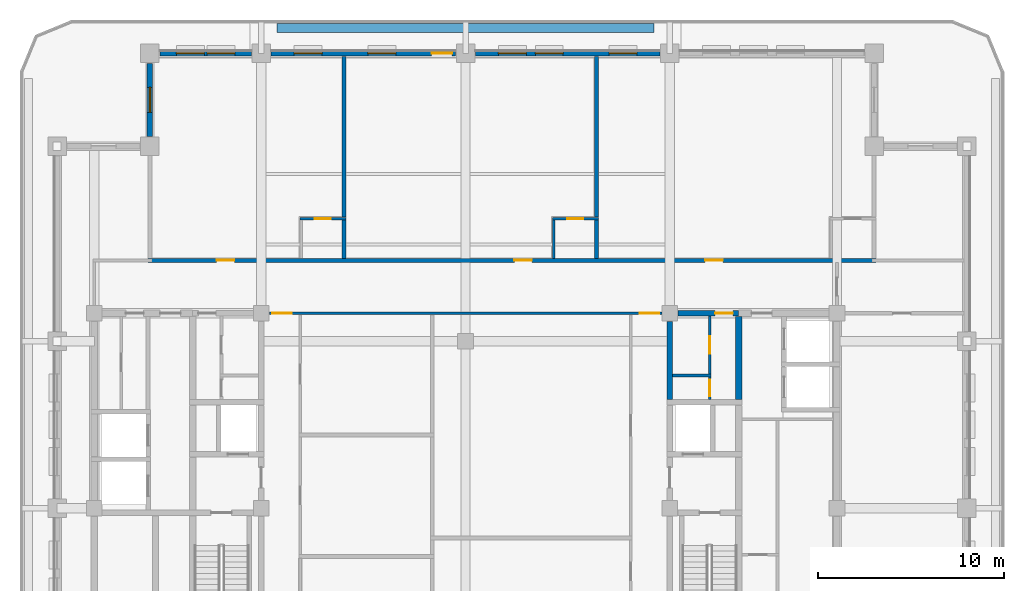
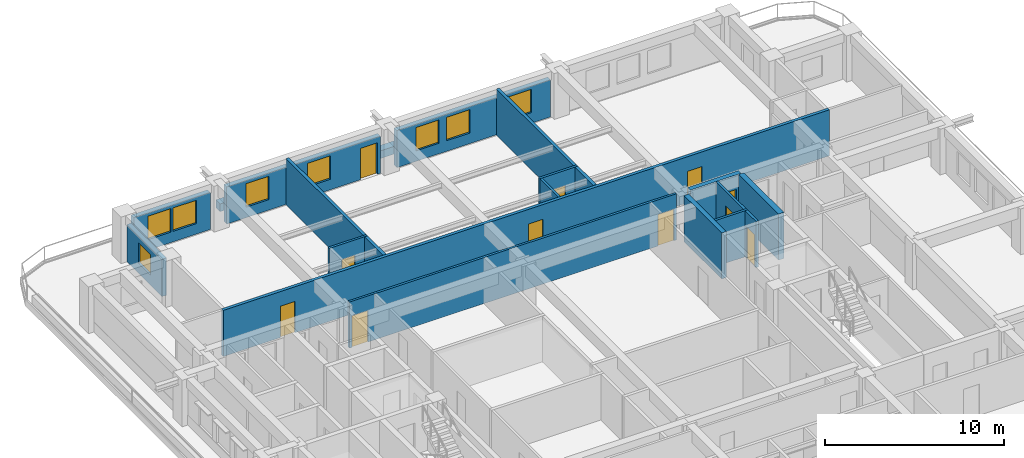
# One storey, part 6 of 13: 20 walls, 11 doors, 8 windows, 19 openings.
"""IFC4 building model written with IfcOpenShell, lengths in metres."""

from ifc_helpers import new_model, si_unit, direction, frame, frame_2d, origin, place, context, subcontext, project, spatial, rectangle, extrude, material, layer, layer_set, type_object, element, fill, save


model = new_model("IFC4")

# Units and contexts
model_context = context("Model", 3, precision=1e-05, world=origin(), true_north=direction((0.0, 1.0)))
body_context = subcontext(model_context, "Body", "Model", "MODEL_VIEW")
ifc_project = project(units=[si_unit("LENGTHUNIT", "METRE"), si_unit("AREAUNIT", "SQUARE_METRE"), si_unit("VOLUMEUNIT", "CUBIC_METRE"), si_unit("PLANEANGLEUNIT", "RADIAN"), si_unit("MASSUNIT", "GRAM", prefix="KILO")], contexts=[model_context])

# Site, building, storey
site_placement = place(None, origin())
site = spatial("IfcSite", under=ifc_project, at=site_placement, CompositionType="ELEMENT")
building_placement = place(site_placement, origin())
building = spatial("IfcBuilding", under=site, at=building_placement, Name="Zulmaris Gate Convention Tower", CompositionType="ELEMENT")
storey_placement = place(building_placement, frame((0.0, 0.0, 176.259765625)))
storey = spatial("IfcBuildingStorey", under=building, at=storey_placement, Name="L45", CompositionType="ELEMENT", Elevation=176.259765625)

# Wall, opening, door
ifc_material_1 = material(Name="Concrete C50/60", Category="concrete")
ifc_layer_1 = layer(ifc_material_1, 0.300048828125, Name="Concrete C50/60")
ifc_layer_set_1 = layer_set([ifc_layer_1], Name="Concrete C50/60")
wall_type_1 = type_object("IfcWallType", Name="CORE-300", PredefinedType="SHEAR", material=ifc_layer_set_1)
wall_1_placement = place(storey_placement, frame((11.428955078125, 10.5, 0.0), z_axis=(0.0, 0.0, 1.0), x_axis=(1.0, 0.0, 0.0)))
wall_1 = element("IfcWall", 1, at=wall_1_placement, inside=storey, type_object=wall_type_1, Name="WL-L45-017", PredefinedType="SHEAR", context=body_context, shape_type="SweptSolid", body=[
    extrude(rectangle(XDim=3.27099609375, YDim=0.300048828125, at=frame_2d((1.635498046875, 0.0))), origin(), (0.0, 0.0, 1.0), 3.150146484375),
])
opening_1_placement = place(wall_1_placement, frame((2.01611328125, 0.0, 0.0)))
opening_1 = element("IfcOpeningElement", 2, at=opening_1_placement, cuts=wall_1, Name="Opening D-11", PredefinedType="OPENING", context=body_context, shape_type="SweptSolid", body=[
    extrude(rectangle(XDim=0.949951171875, YDim=2.14990234375, at=frame_2d((0.47509765625, 1.074951171875))), frame((0.0, 0.16015625, 0.0), z_axis=(0.0, -1.0, 0.0), x_axis=(1.0, 0.0, 0.0)), (0.0, 0.0, 1.0), 0.320068359375),
])
ifc_material_2 = material(Name="Fire-Rated Timber", Category="wood")
door_type_1 = type_object("IfcDoorType", Name="DR-950-FD", OperationType="NOTDEFINED", PredefinedType="DOOR", material=ifc_material_2)
door_1_placement = place(opening_1_placement, origin())
door_1 = element("IfcDoor", 3, at=door_1_placement, inside=storey, type_object=door_type_1, Name="L45 Core East Passage Door 10", OperationType="SINGLE_SWING_LEFT", OverallHeight=2.14990234375, OverallWidth=0.949951171875, PredefinedType="DOOR", context=body_context, shape_type="SweptSolid", body=[
    extrude(rectangle(XDim=0.949951171875, YDim=2.14990234375, at=frame_2d((0.47509765625, 1.074951171875))), frame((0.0, 0.02490234375, 0.0), z_axis=(0.0, -1.0, 0.0), x_axis=(1.0, 0.0, 0.0)), (0.0, 0.0, 1.0), 0.050048828125),
])
fill(opening_1, door_1)

# Walls
wall_2_placement = place(storey_placement, frame((11.0, 5.85205078125, 0.0), z_axis=(0.0, 0.0, 1.0), x_axis=(0.0, 1.0, 0.0)))
element("IfcWall", 4, at=wall_2_placement, inside=storey, type_object=wall_type_1, Name="WL-L45-062", PredefinedType="SHEAR", context=body_context, shape_type="SweptSolid", body=[
    extrude(rectangle(XDim=4.218994140625, YDim=0.300048828125, at=frame_2d((2.109375, 0.0))), origin(), (0.0, 0.0, 1.0), 3.150146484375),
])
ifc_material_3 = material(Name="Concrete C55/67", Category="concrete")
ifc_layer_2 = layer(ifc_material_3, 0.35009765625, Name="Concrete C55/67")
ifc_layer_set_2 = layer_set([ifc_layer_2], Name="Concrete C55/67")
wall_type_2 = type_object("IfcWallType", Name="CORE-350", PredefinedType="SHEAR", material=ifc_layer_set_2)
wall_3_placement = place(storey_placement, frame((14.699951171875, 5.85205078125, 0.0), z_axis=(0.0, 0.0, 1.0), x_axis=(0.0, 1.0, 0.0)))
element("IfcWall", 5, at=wall_3_placement, inside=storey, type_object=wall_type_2, Name="WL-L45-068", PredefinedType="SHEAR", context=body_context, shape_type="SweptSolid", body=[
    extrude(rectangle(XDim=4.470947265625, YDim=0.35009765625, at=frame_2d((2.2353515625, 0.0))), origin(), (0.0, 0.0, 1.0), 3.150146484375),
])
ifc_material_4 = material(Name="Gypsum Metal Stud Partition")
ifc_layer_3 = layer(ifc_material_4, 0.14990234375, Name="Gypsum Metal Stud Partition")
ifc_layer_set_3 = layer_set([ifc_layer_3], Name="Gypsum Metal Stud Partition")
wall_type_3 = type_object("IfcWallType", Name="PART-150", PredefinedType="PARTITIONING", material=ifc_layer_set_3)
wall_4_placement = place(storey_placement, frame((11.153076171875, 7.14990234375, 0.0), z_axis=(0.0, 0.0, 1.0), x_axis=(1.0, 0.0, 0.0)))
element("IfcWall", 6, at=wall_4_placement, inside=storey, type_object=wall_type_3, Name="WL-L45-033", PredefinedType="PARTITIONING", context=body_context, shape_type="SweptSolid", body=[
    extrude(rectangle(XDim=2.072021484375, YDim=0.14990234375, at=frame_2d((1.0361328125, 0.0))), origin(), (0.0, 0.0, 1.0), 3.150146484375),
])

# Wall, openings, doors
wall_5_placement = place(storey_placement, frame((-10.569091796875, 10.5, 0.0), z_axis=(0.0, 0.0, 1.0), x_axis=(1.0, 0.0, 0.0)))
wall_5 = element("IfcWall", 7, at=wall_5_placement, inside=storey, type_object=wall_type_3, Name="WL-L45-034", PredefinedType="PARTITIONING", context=body_context, shape_type="SweptSolid", body=[
    extrude(rectangle(XDim=21.13818359375, YDim=0.14990234375, at=frame_2d((10.569091796875, 0.0))), origin(), (0.0, 0.0, 1.0), 3.150146484375),
])
opening_2_placement = place(wall_5_placement, frame((0.14990234375, 0.0, 0.0)))
opening_2 = element("IfcOpeningElement", 8, at=opening_2_placement, cuts=wall_5, Name="Opening D-09", PredefinedType="OPENING", context=body_context, shape_type="SweptSolid", body=[
    extrude(rectangle(XDim=1.050048828125, YDim=2.14990234375, at=frame_2d((0.52490234375, 1.074951171875))), frame((0.0, 0.0849609375, 0.0), z_axis=(0.0, -1.0, 0.0), x_axis=(1.0, 0.0, 0.0)), (0.0, 0.0, 1.0), 0.169921875),
])
opening_3_placement = place(wall_5_placement, frame((19.93798828125, 0.0, 0.0)))
opening_3 = element("IfcOpeningElement", 9, at=opening_3_placement, cuts=wall_5, Name="Opening D-09", PredefinedType="OPENING", context=body_context, shape_type="SweptSolid", body=[
    extrude(rectangle(XDim=1.050048828125, YDim=2.14990234375, at=frame_2d((0.52490234375, 1.074951171875))), frame((0.0, 0.0849609375, 0.0), z_axis=(0.0, -1.0, 0.0), x_axis=(1.0, 0.0, 0.0)), (0.0, 0.0, 1.0), 0.169921875),
])
ifc_material_5 = material(Name="Fire-Rated Steel", Category="steel")
door_type_2 = type_object("IfcDoorType", Name="DR-1050-FD", OperationType="NOTDEFINED", PredefinedType="DOOR", material=ifc_material_5)
door_2_placement = place(opening_2_placement, origin())
door_2 = element("IfcDoor", 10, at=door_2_placement, inside=storey, type_object=door_type_2, Name="L45 NW Hotel Loop Door 25", OperationType="SINGLE_SWING_RIGHT", OverallHeight=2.14990234375, OverallWidth=1.050048828125, PredefinedType="DOOR", context=body_context, shape_type="SweptSolid", body=[
    extrude(rectangle(XDim=1.050048828125, YDim=2.14990234375, at=frame_2d((0.52490234375, 1.074951171875))), frame((0.0, 0.02490234375, 0.0), z_axis=(0.0, -1.0, 0.0), x_axis=(1.0, 0.0, 0.0)), (0.0, 0.0, 1.0), 0.050048828125),
])
fill(opening_2, door_2)
door_3_placement = place(opening_3_placement, origin())
door_3 = element("IfcDoor", 11, at=door_3_placement, inside=storey, type_object=door_type_2, Name="L45 NE Hotel Loop Door 27", OperationType="SINGLE_SWING_RIGHT", OverallHeight=2.14990234375, OverallWidth=1.050048828125, PredefinedType="DOOR", context=body_context, shape_type="SweptSolid", body=[
    extrude(rectangle(XDim=1.050048828125, YDim=2.14990234375, at=frame_2d((0.52490234375, 1.074951171875))), frame((0.0, 0.02490234375, 0.0), z_axis=(0.0, -1.0, 0.0), x_axis=(1.0, 0.0, 0.0)), (0.0, 0.0, 1.0), 0.050048828125),
])
fill(opening_3, door_3)

# Wall, opening, door
wall_6_placement = place(storey_placement, frame((-8.925048828125, 15.60009765625, 0.0), z_axis=(0.0, 0.0, 1.0), x_axis=(1.0, 0.0, 0.0)))
wall_6 = element("IfcWall", 12, at=wall_6_placement, inside=storey, type_object=wall_type_3, Name="WL-L45-039", PredefinedType="PARTITIONING", context=body_context, shape_type="SweptSolid", body=[
    extrude(rectangle(XDim=2.47509765625, YDim=0.14990234375, at=frame_2d((1.237548828125, 0.0))), origin(), (0.0, 0.0, 1.0), 3.150146484375),
])
opening_4_placement = place(wall_6_placement, frame((0.800048828125, 0.0, 0.0)))
opening_4 = element("IfcOpeningElement", 13, at=opening_4_placement, cuts=wall_6, Name="Opening D-17", PredefinedType="OPENING", context=body_context, shape_type="SweptSolid", body=[
    extrude(rectangle(XDim=0.85009765625, YDim=2.10009765625, at=frame_2d((0.425048828125, 1.050048828125))), frame((0.0, 0.0849609375, 0.0), z_axis=(0.0, -1.0, 0.0), x_axis=(1.0, 0.0, 0.0)), (0.0, 0.0, 1.0), 0.169921875),
])
ifc_material_6 = material(Name="Moisture-Resistant Hardwood Timber", Category="wood")
door_type_3 = type_object("IfcDoorType", Name="DR-850", OperationType="NOTDEFINED", PredefinedType="DOOR", material=ifc_material_6)
door_4_placement = place(opening_4_placement, origin())
door_4 = element("IfcDoor", 14, at=door_4_placement, inside=storey, type_object=door_type_3, Name="L45 En-Suite Door 30", OperationType="SINGLE_SWING_LEFT", OverallHeight=2.10009765625, OverallWidth=0.85009765625, PredefinedType="DOOR", context=body_context, shape_type="SweptSolid", body=[
    extrude(rectangle(XDim=0.85009765625, YDim=2.10009765625, at=frame_2d((0.425048828125, 1.050048828125))), frame((0.0, 0.02490234375, 0.0), z_axis=(0.0, -1.0, 0.0), x_axis=(1.0, 0.0, 0.0)), (0.0, 0.0, 1.0), 0.050048828125),
])
fill(opening_4, door_4)

wall_7_placement = place(storey_placement, frame((4.675048828125, 15.60009765625, 0.0), z_axis=(0.0, 0.0, 1.0), x_axis=(1.0, 0.0, 0.0)))
wall_7 = element("IfcWall", 15, at=wall_7_placement, inside=storey, type_object=wall_type_3, Name="WL-L45-040", PredefinedType="PARTITIONING", context=body_context, shape_type="SweptSolid", body=[
    extrude(rectangle(XDim=2.474853515625, YDim=0.14990234375, at=frame_2d((1.2373046875, 0.0))), origin(), (0.0, 0.0, 1.0), 3.150146484375),
])
opening_5_placement = place(wall_7_placement, frame((0.800048828125, 0.0, 0.0)))
opening_5 = element("IfcOpeningElement", 16, at=opening_5_placement, cuts=wall_7, Name="Opening D-17", PredefinedType="OPENING", context=body_context, shape_type="SweptSolid", body=[
    extrude(rectangle(XDim=0.85009765625, YDim=2.10009765625, at=frame_2d((0.425048828125, 1.050048828125))), frame((0.0, 0.0849609375, 0.0), z_axis=(0.0, -1.0, 0.0), x_axis=(1.0, 0.0, 0.0)), (0.0, 0.0, 1.0), 0.169921875),
])
door_5_placement = place(opening_5_placement, origin())
door_5 = element("IfcDoor", 17, at=door_5_placement, inside=storey, type_object=door_type_3, Name="L45 En-Suite Door 32", OperationType="SINGLE_SWING_LEFT", OverallHeight=2.10009765625, OverallWidth=0.85009765625, PredefinedType="DOOR", context=body_context, shape_type="SweptSolid", body=[
    extrude(rectangle(XDim=0.85009765625, YDim=2.10009765625, at=frame_2d((0.425048828125, 1.050048828125))), frame((0.0, 0.02490234375, 0.0), z_axis=(0.0, -1.0, 0.0), x_axis=(1.0, 0.0, 0.0)), (0.0, 0.0, 1.0), 0.050048828125),
])
fill(opening_5, door_5)

# Wall
wall_8_placement = place(storey_placement, frame((4.75, 13.452880859375, 0.0), z_axis=(0.0, 0.0, 1.0), x_axis=(0.0, 1.0, 0.0)))
element("IfcWall", 18, at=wall_8_placement, inside=storey, type_object=wall_type_3, Name="WL-L45-100", PredefinedType="PARTITIONING", context=body_context, shape_type="SweptSolid", body=[
    extrude(rectangle(XDim=2.069091796875, YDim=0.14990234375, at=frame_2d((1.03466796875, 0.0))), origin(), (0.0, 0.0, 1.0), 3.150146484375),
])

# Wall, opening, door
wall_9_placement = place(storey_placement, frame((13.14990234375, 5.85302734375, 0.0), z_axis=(0.0, 0.0, 1.0), x_axis=(0.0, 1.0, 0.0)))
wall_9 = element("IfcWall", 19, at=wall_9_placement, inside=storey, type_object=wall_type_3, Name="WL-L45-109", PredefinedType="PARTITIONING", context=body_context, shape_type="SweptSolid", body=[
    extrude(rectangle(XDim=1.218994140625, YDim=0.14990234375, at=frame_2d((0.609375, 0.0))), origin(), (0.0, 0.0, 1.0), 3.150146484375),
])
opening_6_placement = place(wall_9_placement, frame((0.1689453125, 0.0, 0.0)))
opening_6 = element("IfcOpeningElement", 20, at=opening_6_placement, cuts=wall_9, Name="Opening D-12", PredefinedType="OPENING", context=body_context, shape_type="SweptSolid", body=[
    extrude(rectangle(XDim=0.89990234375, YDim=2.14990234375, at=frame_2d((0.449951171875, 1.074951171875))), frame((0.0, 0.0849609375, 0.0), z_axis=(0.0, -1.0, 0.0), x_axis=(1.0, 0.0, 0.0)), (0.0, 0.0, 1.0), 0.169921875),
])
door_type_4 = type_object("IfcDoorType", Name="DR-900-FD", OperationType="NOTDEFINED", PredefinedType="DOOR", material=ifc_material_2)
door_6_placement = place(opening_6_placement, origin())
door_6 = element("IfcDoor", 21, at=door_6_placement, inside=storey, type_object=door_type_4, Name="L45 Core Staff WC Door 11", OperationType="SINGLE_SWING_RIGHT", OverallHeight=2.14990234375, OverallWidth=0.89990234375, PredefinedType="DOOR", context=body_context, shape_type="SweptSolid", body=[
    extrude(rectangle(XDim=0.89990234375, YDim=2.14990234375, at=frame_2d((0.449951171875, 1.074951171875))), frame((0.0, 0.02490234375, 0.0), z_axis=(0.0, -1.0, 0.0), x_axis=(1.0, 0.0, 0.0)), (0.0, 0.0, 1.0), 0.050048828125),
])
fill(opening_6, door_6)

wall_10_placement = place(storey_placement, frame((13.14990234375, 7.22802734375, 0.0), z_axis=(0.0, 0.0, 1.0), x_axis=(0.0, 1.0, 0.0)))
wall_10 = element("IfcWall", 22, at=wall_10_placement, inside=storey, type_object=wall_type_3, Name="WL-L45-110", PredefinedType="PARTITIONING", context=body_context, shape_type="SweptSolid", body=[
    extrude(rectangle(XDim=3.118896484375, YDim=0.14990234375, at=frame_2d((1.5595703125, 0.0))), origin(), (0.0, 0.0, 1.0), 3.150146484375),
])
opening_7_placement = place(wall_10_placement, frame((1.096923828125, 0.0, 0.0)))
opening_7 = element("IfcOpeningElement", 23, at=opening_7_placement, cuts=wall_10, Name="Opening D-11", PredefinedType="OPENING", context=body_context, shape_type="SweptSolid", body=[
    extrude(rectangle(XDim=0.949951171875, YDim=2.14990234375, at=frame_2d((0.47509765625, 1.074951171875))), frame((0.0, 0.0849609375, 0.0), z_axis=(0.0, -1.0, 0.0), x_axis=(1.0, 0.0, 0.0)), (0.0, 0.0, 1.0), 0.169921875),
])
door_7_placement = place(opening_7_placement, origin())
door_7 = element("IfcDoor", 24, at=door_7_placement, inside=storey, type_object=door_type_1, Name="L45 Core Hygiene Store Door 12", OperationType="SINGLE_SWING_LEFT", OverallHeight=2.14990234375, OverallWidth=0.949951171875, PredefinedType="DOOR", context=body_context, shape_type="SweptSolid", body=[
    extrude(rectangle(XDim=0.949951171875, YDim=2.14990234375, at=frame_2d((0.47509765625, 1.074951171875))), frame((0.0, 0.02490234375, 0.0), z_axis=(0.0, -1.0, 0.0), x_axis=(1.0, 0.0, 0.0)), (0.0, 0.0, 1.0), 0.050048828125),
])
fill(opening_7, door_7)

# Wall, openings, doors
ifc_material_7 = material(Name="Autoclaved Aerated Concrete Block and Plasterboard", Category="concrete")
ifc_layer_4 = layer(ifc_material_7, 0.199951171875, Name="Autoclaved Aerated Concrete Block and Plasterboard")
ifc_layer_set_4 = layer_set([ifc_layer_4], Name="Autoclaved Aerated Concrete Block and Plasterboard")
wall_type_4 = type_object("IfcWallType", Name="PART-200", PredefinedType="PARTITIONING", material=ifc_layer_set_4)
wall_11_placement = place(storey_placement, frame((-17.10009765625, 13.35009765625, 0.0), z_axis=(0.0, 0.0, 1.0), x_axis=(1.0, 0.0, 0.0)))
wall_11 = element("IfcWall", 25, at=wall_11_placement, inside=storey, type_object=wall_type_4, Name="WL-L45-037", PredefinedType="PARTITIONING", context=body_context, shape_type="SweptSolid", body=[
    extrude(rectangle(XDim=39.2001953125, YDim=0.199951171875, at=frame_2d((19.60009765625, 0.0))), origin(), (0.0, 0.0, 1.0), 3.150146484375),
])
opening_8_placement = place(wall_11_placement, frame((3.695068359375, 0.0, 0.0)))
opening_8 = element("IfcOpeningElement", 26, at=opening_8_placement, cuts=wall_11, Name="Opening D-11", PredefinedType="OPENING", context=body_context, shape_type="SweptSolid", body=[
    extrude(rectangle(XDim=0.949951171875, YDim=2.14990234375, at=frame_2d((0.47509765625, 1.074951171875))), frame((0.0, 0.10986328125, 0.0), z_axis=(0.0, -1.0, 0.0), x_axis=(1.0, 0.0, 0.0)), (0.0, 0.0, 1.0), 0.219970703125),
])
opening_9_placement = place(wall_11_placement, frame((19.72509765625, 0.0, 0.0)))
opening_9 = element("IfcOpeningElement", 27, at=opening_9_placement, cuts=wall_11, Name="Opening D-11", PredefinedType="OPENING", context=body_context, shape_type="SweptSolid", body=[
    extrude(rectangle(XDim=0.949951171875, YDim=2.14990234375, at=frame_2d((0.47509765625, 1.074951171875))), frame((0.0, 0.10986328125, 0.0), z_axis=(0.0, -1.0, 0.0), x_axis=(1.0, 0.0, 0.0)), (0.0, 0.0, 1.0), 0.219970703125),
])
opening_10_placement = place(wall_11_placement, frame((30.0048828125, 0.0, 0.0)))
opening_10 = element("IfcOpeningElement", 28, at=opening_10_placement, cuts=wall_11, Name="Opening D-11", PredefinedType="OPENING", context=body_context, shape_type="SweptSolid", body=[
    extrude(rectangle(XDim=0.949951171875, YDim=2.14990234375, at=frame_2d((0.47509765625, 1.074951171875))), frame((0.0, 0.10986328125, 0.0), z_axis=(0.0, -1.0, 0.0), x_axis=(1.0, 0.0, 0.0)), (0.0, 0.0, 1.0), 0.219970703125),
])
door_8_placement = place(opening_8_placement, origin())
door_8 = element("IfcDoor", 29, at=door_8_placement, inside=storey, type_object=door_type_1, Name="L45 Hotel Diplomatic Suite Door 29", OperationType="SINGLE_SWING_RIGHT", OverallHeight=2.14990234375, OverallWidth=0.949951171875, PredefinedType="DOOR", context=body_context, shape_type="SweptSolid", body=[
    extrude(rectangle(XDim=0.949951171875, YDim=2.14990234375, at=frame_2d((0.47509765625, 1.074951171875))), frame((0.0, 0.02490234375, 0.0), z_axis=(0.0, -1.0, 0.0), x_axis=(1.0, 0.0, 0.0)), (0.0, 0.0, 1.0), 0.050048828125),
])
fill(opening_8, door_8)
door_9_placement = place(opening_9_placement, origin())
door_9 = element("IfcDoor", 30, at=door_9_placement, inside=storey, type_object=door_type_1, Name="L45 Hotel Diplomatic Suite Door 31", OperationType="SINGLE_SWING_RIGHT", OverallHeight=2.14990234375, OverallWidth=0.949951171875, PredefinedType="DOOR", context=body_context, shape_type="SweptSolid", body=[
    extrude(rectangle(XDim=0.949951171875, YDim=2.14990234375, at=frame_2d((0.47509765625, 1.074951171875))), frame((0.0, 0.02490234375, 0.0), z_axis=(0.0, -1.0, 0.0), x_axis=(1.0, 0.0, 0.0)), (0.0, 0.0, 1.0), 0.050048828125),
])
fill(opening_9, door_9)
door_10_placement = place(opening_10_placement, origin())
door_10 = element("IfcDoor", 31, at=door_10_placement, inside=storey, type_object=door_type_1, Name="L45 Hotel Diplomatic Suite Door 33", OperationType="SINGLE_SWING_RIGHT", OverallHeight=2.14990234375, OverallWidth=0.949951171875, PredefinedType="DOOR", context=body_context, shape_type="SweptSolid", body=[
    extrude(rectangle(XDim=0.949951171875, YDim=2.14990234375, at=frame_2d((0.47509765625, 1.074951171875))), frame((0.0, 0.02490234375, 0.0), z_axis=(0.0, -1.0, 0.0), x_axis=(1.0, 0.0, 0.0)), (0.0, 0.0, 1.0), 0.050048828125),
])
fill(opening_10, door_10)

# Walls
wall_12_placement = place(storey_placement, frame((-6.550048828125, 13.452880859375, 0.0), z_axis=(0.0, 0.0, 1.0), x_axis=(0.0, 1.0, 0.0)))
element("IfcWall", 32, at=wall_12_placement, inside=storey, type_object=wall_type_4, Name="WL-L45-090", PredefinedType="PARTITIONING", context=body_context, shape_type="SweptSolid", body=[
    extrude(rectangle(XDim=2.069091796875, YDim=0.199951171875, at=frame_2d((1.03466796875, 0.0))), origin(), (0.0, 0.0, 1.0), 3.150146484375),
])
wall_13_placement = place(storey_placement, frame((-6.550048828125, 15.677978515625, 0.0), z_axis=(0.0, 0.0, 1.0), x_axis=(0.0, 1.0, 0.0)))
element("IfcWall", 33, at=wall_13_placement, inside=storey, type_object=wall_type_4, Name="WL-L45-091", PredefinedType="PARTITIONING", context=body_context, shape_type="SweptSolid", body=[
    extrude(rectangle(XDim=8.656982421875, YDim=0.199951171875, at=frame_2d((4.32861328125, 0.0))), origin(), (0.0, 0.0, 1.0), 3.150146484375),
])
wall_14_placement = place(storey_placement, frame((7.050048828125, 13.452880859375, 0.0), z_axis=(0.0, 0.0, 1.0), x_axis=(0.0, 1.0, 0.0)))
element("IfcWall", 34, at=wall_14_placement, inside=storey, type_object=wall_type_4, Name="WL-L45-103", PredefinedType="PARTITIONING", context=body_context, shape_type="SweptSolid", body=[
    extrude(rectangle(XDim=2.069091796875, YDim=0.199951171875, at=frame_2d((1.03466796875, 0.0))), origin(), (0.0, 0.0, 1.0), 3.150146484375),
])
wall_15_placement = place(storey_placement, frame((7.050048828125, 15.677978515625, 0.0), z_axis=(0.0, 0.0, 1.0), x_axis=(0.0, 1.0, 0.0)))
element("IfcWall", 35, at=wall_15_placement, inside=storey, type_object=wall_type_4, Name="WL-L45-104", PredefinedType="PARTITIONING", context=body_context, shape_type="SweptSolid", body=[
    extrude(rectangle(XDim=8.656982421875, YDim=0.199951171875, at=frame_2d((4.32861328125, 0.0))), origin(), (0.0, 0.0, 1.0), 3.150146484375),
])
ifc_material_8 = material(Name="Botanical Green Glazed Precast Concrete C40/50", Category="concrete")
ifc_layer_5 = layer(ifc_material_8, 0.419921875, Name="Botanical Green Glazed Precast Concrete C40/50")
ifc_layer_set_5 = layer_set([ifc_layer_5], Name="Botanical Green Glazed Precast Concrete C40/50")
wall_type_5 = type_object("IfcWallType", Name="PLANTER-CURB-200", PredefinedType="PARAPET", material=ifc_layer_set_5)
wall_16_placement = place(storey_placement, frame((-10.14990234375, 25.8798828125, -0.0400390625), z_axis=(0.0, 0.0, 1.0), x_axis=(1.0, 0.0, 0.0)))
element("IfcWall", 36, at=wall_16_placement, inside=storey, type_object=wall_type_5, Name="L45 Full-Length Balcony Tree Planter Trough", PredefinedType="PARAPET", context=body_context, shape_type="SweptSolid", body=[
    extrude(rectangle(XDim=20.2998046875, YDim=0.47998046875, at=frame_2d((10.14990234375, 0.0))), origin(), (0.0, 0.0, 1.0), 0.52001953125),
])

# Wall, opening, window
ifc_material_9 = material(Name="Precast concrete C40/50", Category="concrete")
ifc_layer_6 = layer(ifc_material_9, 0.300048828125, Name="Precast concrete C40/50")
ifc_layer_set_6 = layer_set([ifc_layer_6], Name="Precast concrete C40/50")
wall_type_6 = type_object("IfcWallType", Name="PRECAST-PIER-300", PredefinedType="STANDARD", material=ifc_layer_set_6)
wall_17_placement = place(storey_placement, frame((-17.0, 23.969970703125, 0.0), z_axis=(0.0, 0.0, 1.0), x_axis=(0.0, -1.0, 0.0)))
wall_17 = element("IfcWall", 37, at=wall_17_placement, inside=storey, type_object=wall_type_6, Name="EW-L45-NOTCH-NW1_0", PredefinedType="STANDARD", context=body_context, shape_type="SweptSolid", body=[
    extrude(rectangle(XDim=3.93994140625, YDim=0.300048828125, at=frame_2d((1.969970703125, 0.0))), origin(), (0.0, 0.0, 1.0), 2.542236328125),
])
opening_11_placement = place(wall_17_placement, frame((1.294921875, 0.0, 0.679931640625)))
opening_11 = element("IfcOpeningElement", 38, at=opening_11_placement, cuts=wall_17, Name="Opening W-10", PredefinedType="OPENING", context=body_context, shape_type="SweptSolid", body=[
    extrude(rectangle(XDim=1.35009765625, YDim=1.419921875, at=frame_2d((0.675048828125, 0.7099609375))), frame((0.0, 0.16015625, 0.0), z_axis=(0.0, -1.0, 0.0), x_axis=(1.0, 0.0, 0.0)), (0.0, 0.0, 1.0), 0.320068359375),
])
ifc_material_10 = material(Name="Low-E Laminated Double Glazing in Aluminium Frame", Category="aluminium")
window_type_1 = type_object("IfcWindowType", Name="WIN-1350x2000", PartitioningType="SINGLE_PANEL", PredefinedType="WINDOW", material=ifc_material_10)
window_1_placement = place(opening_11_placement, origin())
window_1 = element("IfcWindow", 39, at=window_1_placement, inside=storey, type_object=window_type_1, Name="WN-EW-L45-NOTCH-NW1_0", OverallHeight=1.419921875, OverallWidth=1.35009765625, PartitioningType="SINGLE_PANEL", PredefinedType="WINDOW", context=body_context, shape_type="SweptSolid", body=[
    extrude(rectangle(XDim=1.35009765625, YDim=1.419921875, at=frame_2d((0.675048828125, 0.7099609375))), frame((0.0, 0.030029296875, 0.0), z_axis=(0.0, -1.0, 0.0), x_axis=(1.0, 0.0, 0.0)), (0.0, 0.0, 1.0), 0.06005859375),
])
fill(opening_11, window_1)

# Wall, openings, windows
wall_18_placement = place(storey_placement, frame((-11.530029296875, 24.5, 0.0), z_axis=(0.0, 0.0, 1.0), x_axis=(-1.0, 0.0, 0.0)))
wall_18 = element("IfcWall", 40, at=wall_18_placement, inside=storey, type_object=wall_type_6, Name="EW-L45-N-0_0", PredefinedType="STANDARD", context=body_context, shape_type="SweptSolid", body=[
    extrude(rectangle(XDim=4.93994140625, YDim=0.300048828125, at=frame_2d((2.469970703125, 0.0))), origin(), (0.0, 0.0, 1.0), 2.542236328125),
])
opening_12_placement = place(wall_18_placement, frame((0.89697265625, 0.0, 0.719970703125)))
opening_12 = element("IfcOpeningElement", 41, at=opening_12_placement, cuts=wall_18, Name="Opening W-03", PredefinedType="OPENING", context=body_context, shape_type="SweptSolid", body=[
    extrude(rectangle(XDim=1.5, YDim=1.60009765625, at=frame_2d((0.75, 0.800048828125))), frame((0.0, 0.16015625, 0.0), z_axis=(0.0, -1.0, 0.0), x_axis=(1.0, 0.0, 0.0)), (0.0, 0.0, 1.0), 0.320068359375),
])
opening_13_placement = place(wall_18_placement, frame((2.54296875, 0.0, 0.719970703125)))
opening_13 = element("IfcOpeningElement", 42, at=opening_13_placement, cuts=wall_18, Name="Opening W-03", PredefinedType="OPENING", context=body_context, shape_type="SweptSolid", body=[
    extrude(rectangle(XDim=1.5, YDim=1.60009765625, at=frame_2d((0.75, 0.800048828125))), frame((0.0, 0.16015625, 0.0), z_axis=(0.0, -1.0, 0.0), x_axis=(1.0, 0.0, 0.0)), (0.0, 0.0, 1.0), 0.320068359375),
])
window_type_2 = type_object("IfcWindowType", Name="WIN-1500x2100", PartitioningType="SINGLE_PANEL", PredefinedType="WINDOW", material=ifc_material_10)
window_2_placement = place(opening_12_placement, origin())
window_2 = element("IfcWindow", 43, at=window_2_placement, inside=storey, type_object=window_type_2, Name="WN-EW-L45-N-0_0-1", OverallHeight=1.60009765625, OverallWidth=1.5, PartitioningType="SINGLE_PANEL", PredefinedType="WINDOW", context=body_context, shape_type="SweptSolid", body=[
    extrude(rectangle(XDim=1.5, YDim=1.60009765625, at=frame_2d((0.75, 0.800048828125))), frame((0.0, 0.030029296875, 0.0), z_axis=(0.0, -1.0, 0.0), x_axis=(1.0, 0.0, 0.0)), (0.0, 0.0, 1.0), 0.06005859375),
])
fill(opening_12, window_2)
window_3_placement = place(opening_13_placement, origin())
window_3 = element("IfcWindow", 44, at=window_3_placement, inside=storey, type_object=window_type_2, Name="WN-EW-L45-N-0_0-2", OverallHeight=1.60009765625, OverallWidth=1.5, PartitioningType="SINGLE_PANEL", PredefinedType="WINDOW", context=body_context, shape_type="SweptSolid", body=[
    extrude(rectangle(XDim=1.5, YDim=1.60009765625, at=frame_2d((0.75, 0.800048828125))), frame((0.0, 0.030029296875, 0.0), z_axis=(0.0, -1.0, 0.0), x_axis=(1.0, 0.0, 0.0)), (0.0, 0.0, 1.0), 0.06005859375),
])
fill(opening_13, window_3)

# Wall, openings, door, windows
wall_19_placement = place(storey_placement, frame((-0.530029296875, 24.5, 0.0), z_axis=(0.0, 0.0, 1.0), x_axis=(-1.0, 0.0, 0.0)))
wall_19 = element("IfcWall", 45, at=wall_19_placement, inside=storey, type_object=wall_type_6, Name="EW-L45-N-1_0", PredefinedType="STANDARD", context=body_context, shape_type="SweptSolid", body=[
    extrude(rectangle(XDim=9.93994140625, YDim=0.300048828125, at=frame_2d((4.969970703125, 0.0))), origin(), (0.0, 0.0, 1.0), 2.542236328125),
])
opening_14_placement = place(wall_19_placement, frame((0.199951171875, 0.0, 0.0)))
opening_14 = element("IfcOpeningElement", 46, at=opening_14_placement, cuts=wall_19, Name="Opening D-04", PredefinedType="OPENING", context=body_context, shape_type="SweptSolid", body=[
    extrude(rectangle(XDim=1.10009765625, YDim=2.14990234375, at=frame_2d((0.550048828125, 1.074951171875))), frame((0.0, 0.16015625, 0.0), z_axis=(0.0, -1.0, 0.0), x_axis=(1.0, 0.0, 0.0)), (0.0, 0.0, 1.0), 0.320068359375),
])
opening_15_placement = place(wall_19_placement, frame((3.22607421875, 0.0, 0.719970703125)))
opening_15 = element("IfcOpeningElement", 47, at=opening_15_placement, cuts=wall_19, Name="Opening W-03", PredefinedType="OPENING", context=body_context, shape_type="SweptSolid", body=[
    extrude(rectangle(XDim=1.5, YDim=1.60009765625, at=frame_2d((0.75, 0.800048828125))), frame((0.0, 0.16015625, 0.0), z_axis=(0.0, -1.0, 0.0), x_axis=(1.0, 0.0, 0.0)), (0.0, 0.0, 1.0), 0.320068359375),
])
opening_16_placement = place(wall_19_placement, frame((7.201904296875, 0.0, 0.719970703125)))
opening_16 = element("IfcOpeningElement", 48, at=opening_16_placement, cuts=wall_19, Name="Opening W-03", PredefinedType="OPENING", context=body_context, shape_type="SweptSolid", body=[
    extrude(rectangle(XDim=1.5, YDim=1.60009765625, at=frame_2d((0.75, 0.800048828125))), frame((0.0, 0.16015625, 0.0), z_axis=(0.0, -1.0, 0.0), x_axis=(1.0, 0.0, 0.0)), (0.0, 0.0, 1.0), 0.320068359375),
])
ifc_material_11 = material(Name="Anodised Aluminium and Laminated Glass", Category="aluminium")
door_type_5 = type_object("IfcDoorType", Name="ED-1100", OperationType="SINGLE_SWING_RIGHT", PredefinedType="DOOR", material=ifc_material_11)
door_11_placement = place(opening_14_placement, origin())
door_11 = element("IfcDoor", 49, at=door_11_placement, inside=storey, type_object=door_type_5, Name="L45 N Planted Terrace Door", OperationType="SINGLE_SWING_LEFT", OverallHeight=2.14990234375, OverallWidth=1.10009765625, PredefinedType="DOOR", context=body_context, shape_type="SweptSolid", body=[
    extrude(rectangle(XDim=1.10009765625, YDim=2.14990234375, at=frame_2d((0.550048828125, 1.074951171875))), frame((0.0, 0.02490234375, 0.0), z_axis=(0.0, -1.0, 0.0), x_axis=(1.0, 0.0, 0.0)), (0.0, 0.0, 1.0), 0.050048828125),
])
fill(opening_14, door_11)
window_4_placement = place(opening_15_placement, origin())
window_4 = element("IfcWindow", 50, at=window_4_placement, inside=storey, type_object=window_type_2, Name="WN-EW-L45-N-1_0-2", OverallHeight=1.60009765625, OverallWidth=1.5, PartitioningType="SINGLE_PANEL", PredefinedType="WINDOW", context=body_context, shape_type="SweptSolid", body=[
    extrude(rectangle(XDim=1.5, YDim=1.60009765625, at=frame_2d((0.75, 0.800048828125))), frame((0.0, 0.030029296875, 0.0), z_axis=(0.0, -1.0, 0.0), x_axis=(1.0, 0.0, 0.0)), (0.0, 0.0, 1.0), 0.06005859375),
])
fill(opening_15, window_4)
window_5_placement = place(opening_16_placement, origin())
window_5 = element("IfcWindow", 51, at=window_5_placement, inside=storey, type_object=window_type_2, Name="WN-EW-L45-N-1_0-4", OverallHeight=1.60009765625, OverallWidth=1.5, PartitioningType="SINGLE_PANEL", PredefinedType="WINDOW", context=body_context, shape_type="SweptSolid", body=[
    extrude(rectangle(XDim=1.5, YDim=1.60009765625, at=frame_2d((0.75, 0.800048828125))), frame((0.0, 0.030029296875, 0.0), z_axis=(0.0, -1.0, 0.0), x_axis=(1.0, 0.0, 0.0)), (0.0, 0.0, 1.0), 0.06005859375),
])
fill(opening_16, window_5)

# Wall, openings, windows
wall_20_placement = place(storey_placement, frame((10.469970703125, 24.5, 0.0), z_axis=(0.0, 0.0, 1.0), x_axis=(-1.0, 0.0, 0.0)))
wall_20 = element("IfcWall", 52, at=wall_20_placement, inside=storey, type_object=wall_type_6, Name="EW-L45-N-2_0", PredefinedType="STANDARD", context=body_context, shape_type="SweptSolid", body=[
    extrude(rectangle(XDim=9.93994140625, YDim=0.300048828125, at=frame_2d((4.969970703125, 0.0))), origin(), (0.0, 0.0, 1.0), 2.542236328125),
])
opening_17_placement = place(wall_20_placement, frame((1.238037109375, 0.0, 0.719970703125)))
opening_17 = element("IfcOpeningElement", 53, at=opening_17_placement, cuts=wall_20, Name="Opening W-03", PredefinedType="OPENING", context=body_context, shape_type="SweptSolid", body=[
    extrude(rectangle(XDim=1.5, YDim=1.60009765625, at=frame_2d((0.75, 0.800048828125))), frame((0.0, 0.16015625, 0.0), z_axis=(0.0, -1.0, 0.0), x_axis=(1.0, 0.0, 0.0)), (0.0, 0.0, 1.0), 0.320068359375),
])
opening_18_placement = place(wall_20_placement, frame((5.214111328125, 0.0, 0.719970703125)))
opening_18 = element("IfcOpeningElement", 54, at=opening_18_placement, cuts=wall_20, Name="Opening W-03", PredefinedType="OPENING", context=body_context, shape_type="SweptSolid", body=[
    extrude(rectangle(XDim=1.5, YDim=1.60009765625, at=frame_2d((0.75, 0.800048828125))), frame((0.0, 0.16015625, 0.0), z_axis=(0.0, -1.0, 0.0), x_axis=(1.0, 0.0, 0.0)), (0.0, 0.0, 1.0), 0.320068359375),
])
opening_19_placement = place(wall_20_placement, frame((7.201904296875, 0.0, 0.719970703125)))
opening_19 = element("IfcOpeningElement", 55, at=opening_19_placement, cuts=wall_20, Name="Opening W-03", PredefinedType="OPENING", context=body_context, shape_type="SweptSolid", body=[
    extrude(rectangle(XDim=1.5, YDim=1.60009765625, at=frame_2d((0.75, 0.800048828125))), frame((0.0, 0.16015625, 0.0), z_axis=(0.0, -1.0, 0.0), x_axis=(1.0, 0.0, 0.0)), (0.0, 0.0, 1.0), 0.320068359375),
])
window_6_placement = place(opening_17_placement, origin())
window_6 = element("IfcWindow", 56, at=window_6_placement, inside=storey, type_object=window_type_2, Name="WN-EW-L45-N-2_0-1", OverallHeight=1.60009765625, OverallWidth=1.5, PartitioningType="SINGLE_PANEL", PredefinedType="WINDOW", context=body_context, shape_type="SweptSolid", body=[
    extrude(rectangle(XDim=1.5, YDim=1.60009765625, at=frame_2d((0.75, 0.800048828125))), frame((0.0, 0.030029296875, 0.0), z_axis=(0.0, -1.0, 0.0), x_axis=(1.0, 0.0, 0.0)), (0.0, 0.0, 1.0), 0.06005859375),
])
fill(opening_17, window_6)
window_7_placement = place(opening_18_placement, origin())
window_7 = element("IfcWindow", 57, at=window_7_placement, inside=storey, type_object=window_type_2, Name="WN-EW-L45-N-2_0-3", OverallHeight=1.60009765625, OverallWidth=1.5, PartitioningType="SINGLE_PANEL", PredefinedType="WINDOW", context=body_context, shape_type="SweptSolid", body=[
    extrude(rectangle(XDim=1.5, YDim=1.60009765625, at=frame_2d((0.75, 0.800048828125))), frame((0.0, 0.030029296875, 0.0), z_axis=(0.0, -1.0, 0.0), x_axis=(1.0, 0.0, 0.0)), (0.0, 0.0, 1.0), 0.06005859375),
])
fill(opening_18, window_7)
window_8_placement = place(opening_19_placement, origin())
window_8 = element("IfcWindow", 58, at=window_8_placement, inside=storey, type_object=window_type_2, Name="WN-EW-L45-N-2_0-4", OverallHeight=1.60009765625, OverallWidth=1.5, PartitioningType="SINGLE_PANEL", PredefinedType="WINDOW", context=body_context, shape_type="SweptSolid", body=[
    extrude(rectangle(XDim=1.5, YDim=1.60009765625, at=frame_2d((0.75, 0.800048828125))), frame((0.0, 0.030029296875, 0.0), z_axis=(0.0, -1.0, 0.0), x_axis=(1.0, 0.0, 0.0)), (0.0, 0.0, 1.0), 0.06005859375),
])
fill(opening_19, window_8)

save(model, "model.ifc")
